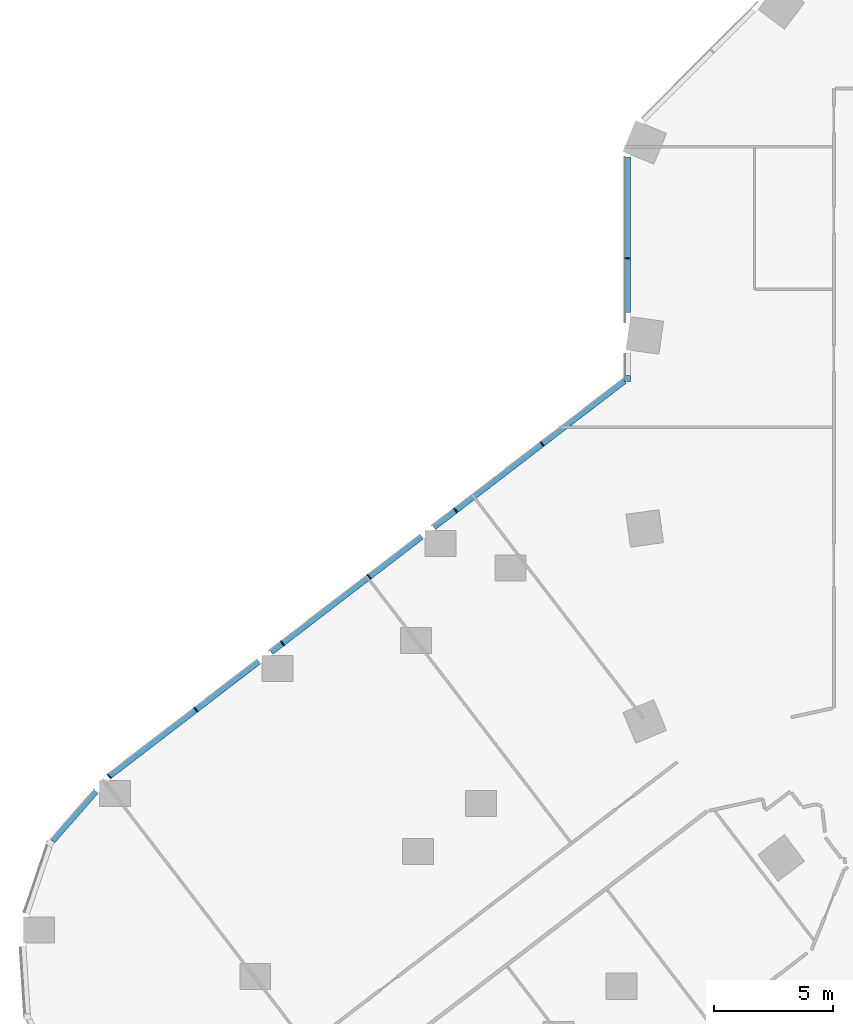
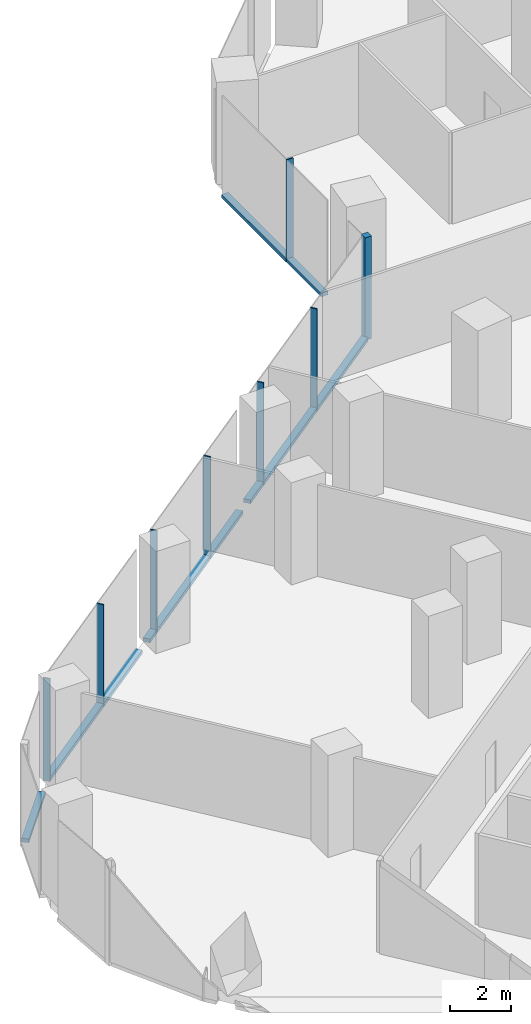
# One storey, part 5 of 29: 13 members, 3 elements without a shape of their own.
"""IFC4 building model written with IfcOpenShell, lengths in metres."""

from ifc_helpers import new_model, si_unit, direction, frame, origin, origin_2d, place, context, subcontext, project, spatial, rectangle, extrude, material, material_profile, profile_set, type_object, element, aggregate, save


model = new_model("IFC4")

# Units and contexts
model_context = context("Model", 3, precision=1e-05, world=origin(), true_north=direction((0.0, 1.0)))
body_context = subcontext(model_context, "Body", "Model", "MODEL_VIEW")
ifc_project = project(units=[si_unit("LENGTHUNIT", "METRE"), si_unit("AREAUNIT", "SQUARE_METRE"), si_unit("VOLUMEUNIT", "CUBIC_METRE"), si_unit("PLANEANGLEUNIT", "RADIAN"), si_unit("MASSUNIT", "GRAM", prefix="KILO")], contexts=[model_context])

# Site, building, storey
site_placement = place(None, origin())
site = spatial("IfcSite", under=ifc_project, at=site_placement, CompositionType="ELEMENT")
building_placement = place(site_placement, origin())
building = spatial("IfcBuilding", under=site, at=building_placement, Name="Orlundy Tower", CompositionType="ELEMENT")
storey_placement = place(building_placement, frame((0.0, 0.0, 25.10009765625)))
storey = spatial("IfcBuildingStorey", under=building, at=storey_placement, Name="L04", CompositionType="ELEMENT", Elevation=25.10009765625)

# Curtain wall, member
ifc_material_1 = material(Name="Aluminium bronze anodised", Category="aluminium")
curtain_wall_type = type_object("IfcCurtainWallType", Name="CW2 wall", PredefinedType="NOTDEFINED", material=ifc_material_1)
curtain_wall_1_placement = place(storey_placement, origin())
curtain_wall_1 = element("IfcCurtainWall", 1, at=curtain_wall_1_placement, inside=storey, type_object=curtain_wall_type, Name="CW2 run 013", PredefinedType="NOTDEFINED")
ifc_material_2 = material(Name="Aluminium bronze anodised", Category="aluminium")
ifc_material_profile_1 = material_profile(ifc_material_2, rectangle(XDim=0.25, YDim=0.25, at=origin_2d()), Name="CW2 corner post 250x250")
ifc_profile_set_1 = profile_set([ifc_material_profile_1], Name="Aluminium bronze anodised")
member_type_1 = type_object("IfcMemberType", Name="CW2 corner post 250x250", PredefinedType="MULLION", material=ifc_profile_set_1)
member_1_placement = place(storey_placement, frame((-30.125, 2.251708984375, -0.420166015625), z_axis=(0.0, 0.0, 1.0), x_axis=(-1.0, 0.0, 0.0)))
member_1 = element("IfcMember", 2, at=member_1_placement, type_object=member_type_1, Name="CW2 mullion 32", PredefinedType="MULLION", context=body_context, shape_type="SweptSolid", body=[
    extrude(rectangle(XDim=0.25, YDim=0.25, at=origin_2d()), origin(), (0.0, 0.0, 1.0), 4.1201171875),
])

# Curtain wall, members
curtain_wall_2_placement = place(storey_placement, origin())
curtain_wall_2 = element("IfcCurtainWall", 3, at=curtain_wall_2_placement, inside=storey, type_object=curtain_wall_type, Name="CW2 run 012", PredefinedType="NOTDEFINED")
ifc_material_3 = material(Name="Aluminium bronze anodised", Category="aluminium")
ifc_material_profile_2 = material_profile(ifc_material_3, rectangle(XDim=0.25, YDim=0.050048828125, at=origin_2d()), Name="CW2 mullion 50x250")
ifc_profile_set_2 = profile_set([ifc_material_profile_2], Name="Aluminium bronze anodised")
member_type_2 = type_object("IfcMemberType", Name="CW2 mullion 50x250", PredefinedType="MULLION", material=ifc_profile_set_2)
member_2_placement = place(storey_placement, frame((-51.928955078125, -14.479248046875, -0.420166015625), z_axis=(0.0, 0.0, 1.0), x_axis=(-0.683605084665, 0.729852100237, 0.0)))
member_2 = element("IfcMember", 4, at=member_2_placement, type_object=member_type_2, Name="CW2 mullion 26", PredefinedType="MULLION", context=body_context, shape_type="SweptSolid", body=[
    extrude(rectangle(XDim=0.25, YDim=0.050048828125, at=origin_2d()), origin(), (0.0, 0.0, 1.0), 4.1201171875),
])
member_3_placement = place(storey_placement, frame((-48.278564453125, -11.67822265625, -0.420166015625), z_axis=(0.0, 0.0, 1.0), x_axis=(-0.608767752232, 0.793348488271, 0.0)))
member_3 = element("IfcMember", 5, at=member_3_placement, type_object=member_type_2, Name="CW2 mullion 27", PredefinedType="MULLION", context=body_context, shape_type="SweptSolid", body=[
    extrude(rectangle(XDim=0.25, YDim=0.050048828125, at=origin_2d()), origin(), (0.0, 0.0, 1.0), 4.1201171875),
])
member_4_placement = place(storey_placement, frame((-44.63818359375, -8.884765625, -0.420166015625), z_axis=(0.0, 0.0, 1.0), x_axis=(-0.608767752232, 0.793348488271, 0.0)))
member_4 = element("IfcMember", 6, at=member_4_placement, type_object=member_type_2, Name="CW2 mullion 28", PredefinedType="MULLION", context=body_context, shape_type="SweptSolid", body=[
    extrude(rectangle(XDim=0.25, YDim=0.050048828125, at=origin_2d()), origin(), (0.0, 0.0, 1.0), 4.1201171875),
])
member_5_placement = place(storey_placement, frame((-40.99755859375, -6.09130859375, -0.420166015625), z_axis=(0.0, 0.0, 1.0), x_axis=(-0.608767752232, 0.793348488271, 0.0)))
member_5 = element("IfcMember", 7, at=member_5_placement, type_object=member_type_2, Name="CW2 mullion 29", PredefinedType="MULLION", context=body_context, shape_type="SweptSolid", body=[
    extrude(rectangle(XDim=0.25, YDim=0.050048828125, at=origin_2d()), origin(), (0.0, 0.0, 1.0), 4.1201171875),
])
member_6_placement = place(storey_placement, frame((-37.357177734375, -3.2978515625, -0.420166015625), z_axis=(0.0, 0.0, 1.0), x_axis=(-0.608767752232, 0.793348488271, 0.0)))
member_6 = element("IfcMember", 8, at=member_6_placement, type_object=member_type_2, Name="CW2 mullion 30", PredefinedType="MULLION", context=body_context, shape_type="SweptSolid", body=[
    extrude(rectangle(XDim=0.25, YDim=0.050048828125, at=origin_2d()), origin(), (0.0, 0.0, 1.0), 4.1201171875),
])
member_7_placement = place(storey_placement, frame((-33.716552734375, -0.50439453125, -0.420166015625), z_axis=(0.0, 0.0, 1.0), x_axis=(-0.608767752232, 0.793348488271, 0.0)))
member_7 = element("IfcMember", 9, at=member_7_placement, type_object=member_type_2, Name="CW2 mullion 31", PredefinedType="MULLION", context=body_context, shape_type="SweptSolid", body=[
    extrude(rectangle(XDim=0.25, YDim=0.050048828125, at=origin_2d()), origin(), (0.0, 0.0, 1.0), 4.1201171875),
])

# Member
member_8_placement = place(storey_placement, frame((-30.125, 7.30810546875, -0.420166015625), z_axis=(0.0, 0.0, 1.0), x_axis=(-1.0, 0.0, 0.0)))
member_8 = element("IfcMember", 10, at=member_8_placement, type_object=member_type_2, Name="CW2 mullion 33", PredefinedType="MULLION", context=body_context, shape_type="SweptSolid", body=[
    extrude(rectangle(XDim=0.25, YDim=0.050048828125, at=origin_2d()), origin(), (0.0, 0.0, 1.0), 4.1201171875),
])

# Curtain wall, member
curtain_wall_3_placement = place(storey_placement, origin())
curtain_wall_3 = element("IfcCurtainWall", 11, at=curtain_wall_3_placement, inside=storey, type_object=curtain_wall_type, Name="CW2 run 011", PredefinedType="NOTDEFINED")
ifc_material_4 = material(Name="Aluminium bronze anodised", Category="aluminium")
ifc_material_profile_3 = material_profile(ifc_material_4, rectangle(XDim=0.25, YDim=0.14990234375, at=origin_2d()), Name="CW2 transom 250x150")
ifc_profile_set_3 = profile_set([ifc_material_profile_3], Name="Aluminium bronze anodised")
member_type_3 = type_object("IfcMemberType", Name="CW2 transom 250x150", PredefinedType="USERDEFINED", material=ifc_profile_set_3)
member_9_placement = place(storey_placement, frame((-54.31494140625, -17.2001953125, -0.34521484375), z_axis=(0.659314701378, 0.751867092342, 0.0), x_axis=(-0.751867092342, 0.659314701378, 0.0)))
member_9 = element("IfcMember", 12, at=member_9_placement, type_object=member_type_3, Name="CW2 transom", ObjectType="TRANSOM", PredefinedType="USERDEFINED", context=body_context, shape_type="SweptSolid", body=[
    extrude(rectangle(XDim=0.25, YDim=0.14990234375, at=origin_2d()), origin(), (0.0, 0.0, 1.0), 2.7724609375),
])
aggregate(curtain_wall_3, [member_9])

# Member
member_10_placement = place(storey_placement, frame((-51.908935546875, -14.464111328125, -0.34521484375), z_axis=(0.793344721473, 0.608772661107, 0.0), x_axis=(-0.608772661107, 0.793344721473, 0.0)))
member_10 = element("IfcMember", 13, at=member_10_placement, type_object=member_type_3, Name="CW2 transom", ObjectType="TRANSOM", PredefinedType="USERDEFINED", context=body_context, shape_type="SweptSolid", body=[
    extrude(rectangle(XDim=0.25, YDim=0.14990234375, at=origin_2d()), origin(), (0.0, 0.0, 1.0), 7.902099609375),
])

member_11_placement = place(storey_placement, frame((-45.119140625, -9.25390625, -0.34521484375), z_axis=(0.793355048081, 0.608759203367, 0.0), x_axis=(-0.608759203367, 0.793355048081, 0.0)))
member_11 = element("IfcMember", 14, at=member_11_placement, type_object=member_type_3, Name="CW2 transom", ObjectType="TRANSOM", PredefinedType="USERDEFINED", context=body_context, shape_type="SweptSolid", body=[
    extrude(rectangle(XDim=0.25, YDim=0.14990234375, at=origin_2d()), origin(), (0.0, 0.0, 1.0), 7.976318359375),
])

member_12_placement = place(storey_placement, frame((-38.26953125, -3.998046875, -0.34521484375), z_axis=(0.793343505861, 0.608774245273, 0.0), x_axis=(-0.608774245273, 0.793343505861, 0.0)))
member_12 = element("IfcMember", 15, at=member_12_placement, type_object=member_type_3, Name="CW2 transom", ObjectType="TRANSOM", PredefinedType="USERDEFINED", context=body_context, shape_type="SweptSolid", body=[
    extrude(rectangle(XDim=0.25, YDim=0.14990234375, at=origin_2d()), origin(), (0.0, 0.0, 1.0), 10.108642578125),
])

aggregate(curtain_wall_2, [member_2, member_3, member_4, member_5, member_6, member_7, member_10, member_11, member_12])

member_13_placement = place(storey_placement, frame((-30.125, 5.01708984375, -0.34521484375), z_axis=(0.0, 1.0, 0.0), x_axis=(-1.0, 0.0, 0.0)))
member_13 = element("IfcMember", 16, at=member_13_placement, type_object=member_type_3, Name="CW2 transom", ObjectType="TRANSOM", PredefinedType="USERDEFINED", context=body_context, shape_type="SweptSolid", body=[
    extrude(rectangle(XDim=0.25, YDim=0.14990234375, at=origin_2d()), origin(), (0.0, 0.0, 1.0), 6.541259765625),
])

aggregate(curtain_wall_1, [member_1, member_8, member_13])

save(model, "model.ifc")
